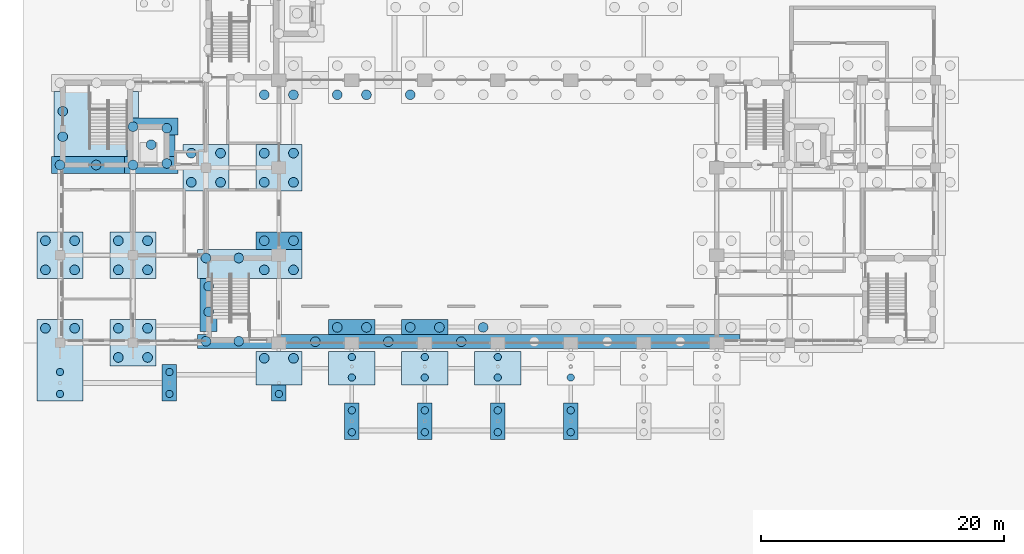
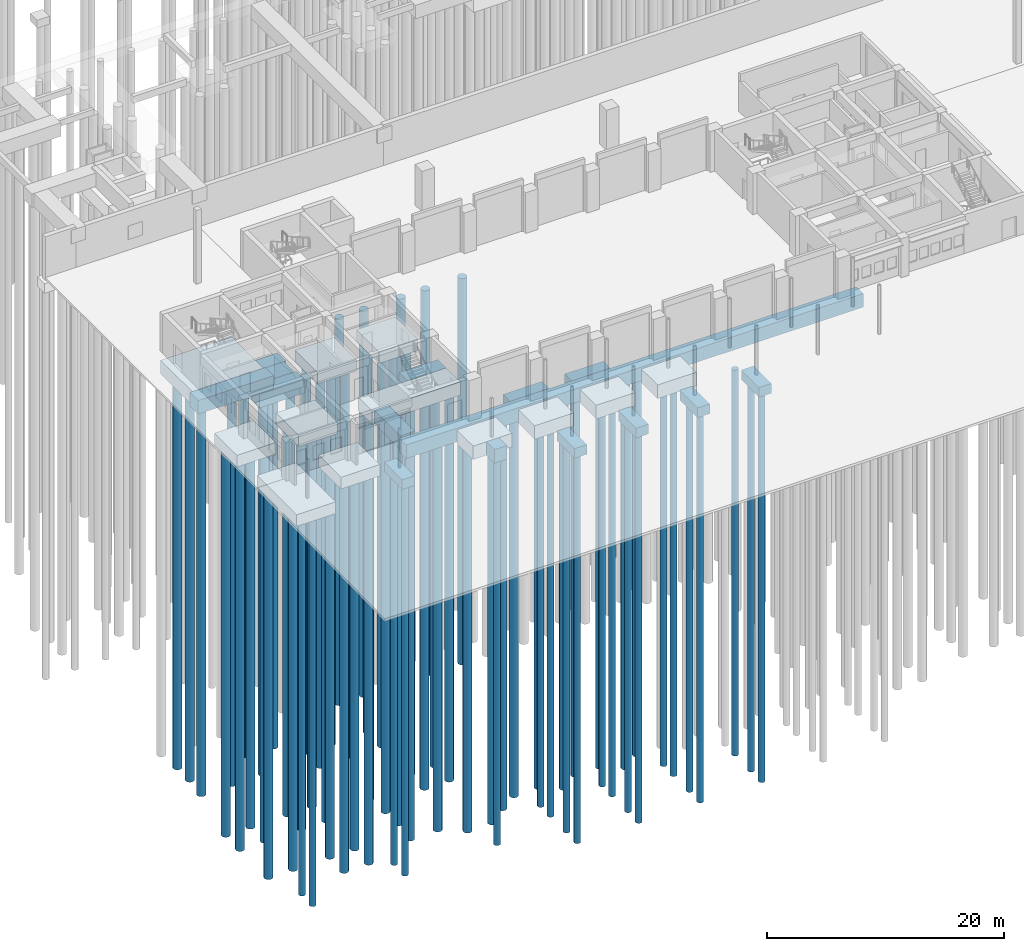
# One storey, part 1 of 37: 76 piles, 27 footings.
"""IFC4 building model written with IfcOpenShell, lengths in metres."""

from ifc_helpers import new_model, si_unit, direction, frame, origin, origin_2d, place, context, subcontext, project, spatial, polyline, circle, outline, extrude, material, layer, layer_set, material_profile, profile_set, type_object, element, save


model = new_model("IFC4")

# Units and contexts
model_context = context("Model", 3, precision=1e-05, world=origin(), true_north=direction((0.0, 1.0)))
body_context = subcontext(model_context, "Body", "Model", "MODEL_VIEW")
ifc_project = project(units=[si_unit("LENGTHUNIT", "METRE"), si_unit("AREAUNIT", "SQUARE_METRE"), si_unit("VOLUMEUNIT", "CUBIC_METRE"), si_unit("PLANEANGLEUNIT", "RADIAN"), si_unit("MASSUNIT", "GRAM", prefix="KILO")], contexts=[model_context])

# Site, building, storey
site_placement = place(None, origin())
site = spatial("IfcSite", under=ifc_project, at=site_placement, CompositionType="ELEMENT")
building_placement = place(site_placement, origin())
building = spatial("IfcBuilding", under=site, at=building_placement, Name="Laocheng Heights Fire and Rescue Headquarters", CompositionType="ELEMENT")
storey_placement = place(building_placement, origin())
storey = spatial("IfcBuildingStorey", under=building, at=storey_placement, Name="L00", CompositionType="ELEMENT", Elevation=0.0)

# Piles
ifc_material_1 = material(Name="Concrete C35", Category="concrete")
ifc_material_profile_1 = material_profile(ifc_material_1, circle(Radius=0.300048828125, at=origin_2d()), Name="BORED PILE D600")
ifc_profile_set_1 = profile_set([ifc_material_profile_1], Name="Concrete C35")
pile_type_1 = type_object("IfcPileType", Name="BORED PILE D600", PredefinedType="BORED", material=ifc_profile_set_1)
for number, where, z_axis, x_axis, name in (
    (1, (24.0, -7.35009765625, -1.37890625), (0.0, 0.0, -1.0), (1.0, 0.0, 0.0), "Bored pile D600"),
    (2, (24.0, -5.550048828125, -1.37890625), (0.0, 0.0, -1.0), (1.0, 0.0, 0.0), "Bored pile D600"),
    (3, (30.0, -7.35009765625, -1.37890625), (0.0, 0.0, -1.0), (1.0, 0.0, 0.0), "Bored pile D600"),
    (4, (30.0, -5.550048828125, -1.37890625), (0.0, 0.0, -1.0), (1.0, 0.0, 0.0), "Bored pile D600"),
    (5, (36.0, -7.35009765625, -1.37890625), (0.0, 0.0, -1.0), (1.0, 0.0, 0.0), "Bored pile D600"),
    (6, (36.0, -5.550048828125, -1.37890625), (0.0, 0.0, -1.0), (1.0, 0.0, 0.0), "Bored pile D600"),
    (7, (42.0, -7.35009765625, -1.37890625), (0.0, 0.0, -1.0), (1.0, 0.0, 0.0), "Bored pile D600"),
    (8, (42.0, -5.550048828125, -1.37890625), (0.0, 0.0, -1.0), (1.0, 0.0, 0.0), "Bored pile D600"),
):
    element("IfcPile", number, at=place(storey_placement, frame(where, z_axis=z_axis, x_axis=x_axis)), inside=storey, type_object=pile_type_1, Name=name, PredefinedType="BORED", context=body_context, shape_type="SweptSolid", body=[
        extrude(circle(Radius=0.300048828125, at=origin_2d()), origin(), (0.0, 0.0, 1.0), 40.12109375),
    ])
pile_placement = place(storey_placement, frame((18.0, -4.199951171875, -1.68896484375), z_axis=(0.0, 0.0, -1.0), x_axis=(1.0, 0.0, 0.0)))
element("IfcPile", 9, at=pile_placement, inside=storey, type_object=pile_type_1, Name="Bored pile D600", PredefinedType="BORED", context=body_context, shape_type="SweptSolid", body=[
    extrude(circle(Radius=0.300048828125, at=origin_2d()), origin(), (0.0, 0.0, 1.0), 39.81103515625),
])
for number, where, z_axis, x_axis, name in (
    (10, (9.0, -4.199951171875, -1.25), (0.0, 0.0, -1.0), (1.0, 0.0, 0.0), "Bored pile D600"),
    (11, (9.0, -2.39990234375, -1.25), (0.0, 0.0, -1.0), (1.0, 0.0, 0.0), "Bored pile D600"),
):
    element("IfcPile", number, at=place(storey_placement, frame(where, z_axis=z_axis, x_axis=x_axis)), inside=storey, type_object=pile_type_1, Name=name, PredefinedType="BORED", context=body_context, shape_type="SweptSolid", body=[
        extrude(circle(Radius=0.300048828125, at=origin_2d()), origin(), (0.0, 0.0, 1.0), 40.25),
    ])
for number, where, z_axis, x_axis, name in (
    (12, (24.0, -2.85009765625, -1.68896484375), (0.0, 0.0, -1.0), (1.0, 0.0, 0.0), "Bored pile D600"),
    (13, (24.0, -1.169921875, -1.68896484375), (0.0, 0.0, -1.0), (1.0, 0.0, 0.0), "Bored pile D600"),
    (14, (30.0, -2.85009765625, -1.68896484375), (0.0, 0.0, -1.0), (1.0, 0.0, 0.0), "Bored pile D600"),
    (15, (30.0, -1.169921875, -1.68896484375), (0.0, 0.0, -1.0), (1.0, 0.0, 0.0), "Bored pile D600"),
    (16, (36.0, -2.85009765625, -1.68896484375), (0.0, 0.0, -1.0), (1.0, 0.0, 0.0), "Bored pile D600"),
    (17, (36.0, -1.169921875, -1.68896484375), (0.0, 0.0, -1.0), (1.0, 0.0, 0.0), "Bored pile D600"),
    (18, (42.0, -2.85009765625, -1.68896484375), (0.0, 0.0, -1.0), (1.0, 0.0, 0.0), "Bored pile D600"),
):
    element("IfcPile", number, at=place(storey_placement, frame(where, z_axis=z_axis, x_axis=x_axis)), inside=storey, type_object=pile_type_1, Name=name, PredefinedType="BORED", context=body_context, shape_type="SweptSolid", body=[
        extrude(circle(Radius=0.300048828125, at=origin_2d()), origin(), (0.0, 0.0, 1.0), 39.81103515625),
    ])
for number, where, z_axis, x_axis, name in (
    (19, (0.0, -4.199951171875, -1.449951171875), (0.0, 0.0, -1.0), (1.0, 0.0, 0.0), "Bored pile D600"),
    (20, (0.0, -2.39990234375, -1.449951171875), (0.0, 0.0, -1.0), (1.0, 0.0, 0.0), "Bored pile D600"),
):
    element("IfcPile", number, at=place(storey_placement, frame(where, z_axis=z_axis, x_axis=x_axis)), inside=storey, type_object=pile_type_1, Name=name, PredefinedType="BORED", context=body_context, shape_type="SweptSolid", body=[
        extrude(circle(Radius=0.300048828125, at=origin_2d()), origin(), (0.0, 0.0, 1.0), 40.050048828125),
    ])
ifc_material_2 = material(Name="Concrete C35", Category="concrete")
ifc_material_profile_2 = material_profile(ifc_material_2, circle(Radius=0.39990234375, at=origin_2d()), Name="BORED PILE D800")
ifc_profile_set_2 = profile_set([ifc_material_profile_2], Name="Concrete C35")
pile_type_2 = type_object("IfcPileType", Name="BORED PILE D800", PredefinedType="BORED", material=ifc_profile_set_2)
for number, where, z_axis, x_axis, name in (
    (21, (16.800048828125, -1.27001953125, -1.68896484375), (0.0, 0.0, -1.0), (1.0, 0.0, 0.0), "Bored pile D800"),
    (22, (19.199951171875, -1.27001953125, -1.68896484375), (0.0, 0.0, -1.0), (1.0, 0.0, 0.0), "Bored pile D800"),
):
    element("IfcPile", number, at=place(storey_placement, frame(where, z_axis=z_axis, x_axis=x_axis)), inside=storey, type_object=pile_type_2, Name=name, PredefinedType="BORED", context=body_context, shape_type="SweptSolid", body=[
        extrude(circle(Radius=0.39990234375, at=origin_2d()), origin(), (0.0, 0.0, 1.0), 39.81103515625),
    ])
for number, where, z_axis, x_axis, name in (
    (23, (-1.199951171875, 1.199951171875, -1.449951171875), (0.0, 0.0, -1.0), (1.0, 0.0, 0.0), "Bored pile D800"),
    (24, (1.199951171875, 1.199951171875, -1.449951171875), (0.0, 0.0, -1.0), (1.0, 0.0, 0.0), "Bored pile D800"),
    (25, (4.800048828125, -1.199951171875, -1.449951171875), (0.0, 0.0, -1.0), (1.0, 0.0, 0.0), "Bored pile D800"),
    (26, (7.199951171875, -1.199951171875, -1.449951171875), (0.0, 0.0, -1.0), (1.0, 0.0, 0.0), "Bored pile D800"),
    (27, (4.800048828125, 1.199951171875, -1.449951171875), (0.0, 0.0, -1.0), (1.0, 0.0, 0.0), "Bored pile D800"),
    (28, (7.199951171875, 1.199951171875, -1.449951171875), (0.0, 0.0, -1.0), (1.0, 0.0, 0.0), "Bored pile D800"),
):
    element("IfcPile", number, at=place(storey_placement, frame(where, z_axis=z_axis, x_axis=x_axis)), inside=storey, type_object=pile_type_2, Name=name, PredefinedType="BORED", context=body_context, shape_type="SweptSolid", body=[
        extrude(circle(Radius=0.39990234375, at=origin_2d()), origin(), (0.0, 0.0, 1.0), 40.050048828125),
    ])
for number, where, z_axis, x_axis, name in (
    (29, (21.0, 0.094970703125, -1.68896484375), (0.0, 0.0, -1.0), (1.0, 0.0, 0.0), "Bored pile D800"),
    (30, (27.0, 0.094970703125, -1.68896484375), (0.0, 0.0, -1.0), (1.0, 0.0, 0.0), "Bored pile D800"),
    (31, (33.0, 0.094970703125, -1.68896484375), (0.0, 0.0, -1.0), (1.0, 0.0, 0.0), "Bored pile D800"),
    (32, (12.0, 0.1298828125, -1.68896484375), (0.0, 0.0, -1.0), (1.0, 0.0, 0.0), "Bored pile D800"),
    (33, (14.699951171875, 0.1298828125, -1.68896484375), (0.0, 0.0, -1.0), (1.0, 0.0, 0.0), "Bored pile D800"),
    (34, (22.800048828125, 1.27001953125, -1.68896484375), (0.0, 0.0, -1.0), (1.0, 0.0, 0.0), "Bored pile D800"),
    (35, (25.199951171875, 1.27001953125, -1.68896484375), (0.0, 0.0, -1.0), (1.0, 0.0, 0.0), "Bored pile D800"),
    (36, (28.800048828125, 1.27001953125, -1.68896484375), (0.0, 0.0, -1.0), (1.0, 0.0, 0.0), "Bored pile D800"),
    (37, (31.199951171875, 1.27001953125, -1.68896484375), (0.0, 0.0, -1.0), (1.0, 0.0, 0.0), "Bored pile D800"),
    (38, (34.800048828125, 1.27001953125, -1.68896484375), (0.0, 0.0, -1.0), (1.0, 0.0, 0.0), "Bored pile D800"),
    (39, (12.22509765625, 2.550048828125, -1.68896484375), (0.0, 0.0, -1.0), (1.0, 0.0, 0.0), "Bored pile D800"),
    (40, (12.22509765625, 4.64990234375, -1.68896484375), (0.0, 0.0, -1.0), (1.0, 0.0, 0.0), "Bored pile D800"),
    (41, (16.800048828125, 6.0, -1.68896484375), (0.0, 0.0, -1.0), (1.0, 0.0, 0.0), "Bored pile D800"),
    (42, (19.199951171875, 6.0, -1.68896484375), (0.0, 0.0, -1.0), (1.0, 0.0, 0.0), "Bored pile D800"),
    (43, (12.0, 6.97509765625, -1.68896484375), (0.0, 0.0, -1.0), (1.0, 0.0, 0.0), "Bored pile D800"),
    (44, (14.699951171875, 6.97509765625, -1.68896484375), (0.0, 0.0, -1.0), (1.0, 0.0, 0.0), "Bored pile D800"),
):
    element("IfcPile", number, at=place(storey_placement, frame(where, z_axis=z_axis, x_axis=x_axis)), inside=storey, type_object=pile_type_2, Name=name, PredefinedType="BORED", context=body_context, shape_type="SweptSolid", body=[
        extrude(circle(Radius=0.39990234375, at=origin_2d()), origin(), (0.0, 0.0, 1.0), 39.81103515625),
    ])
for number, where, z_axis, x_axis, name in (
    (45, (-1.199951171875, 6.0, -1.449951171875), (0.0, 0.0, -1.0), (1.0, 0.0, 0.0), "Bored pile D800"),
    (46, (1.199951171875, 6.0, -1.449951171875), (0.0, 0.0, -1.0), (1.0, 0.0, 0.0), "Bored pile D800"),
    (47, (-1.199951171875, 8.39990234375, -1.449951171875), (0.0, 0.0, -1.0), (1.0, 0.0, 0.0), "Bored pile D800"),
    (48, (1.199951171875, 8.39990234375, -1.449951171875), (0.0, 0.0, -1.0), (1.0, 0.0, 0.0), "Bored pile D800"),
    (49, (4.800048828125, 6.0, -1.449951171875), (0.0, 0.0, -1.0), (1.0, 0.0, 0.0), "Bored pile D800"),
    (50, (7.199951171875, 6.0, -1.449951171875), (0.0, 0.0, -1.0), (1.0, 0.0, 0.0), "Bored pile D800"),
    (51, (4.800048828125, 8.39990234375, -1.449951171875), (0.0, 0.0, -1.0), (1.0, 0.0, 0.0), "Bored pile D800"),
    (52, (7.199951171875, 8.39990234375, -1.449951171875), (0.0, 0.0, -1.0), (1.0, 0.0, 0.0), "Bored pile D800"),
):
    element("IfcPile", number, at=place(storey_placement, frame(where, z_axis=z_axis, x_axis=x_axis)), inside=storey, type_object=pile_type_2, Name=name, PredefinedType="BORED", context=body_context, shape_type="SweptSolid", body=[
        extrude(circle(Radius=0.39990234375, at=origin_2d()), origin(), (0.0, 0.0, 1.0), 40.050048828125),
    ])
for number, where, z_axis, x_axis, name in (
    (53, (16.800048828125, 8.39990234375, -1.68896484375), (0.0, 0.0, -1.0), (1.0, 0.0, 0.0), "Bored pile D800"),
    (54, (19.199951171875, 8.39990234375, -1.68896484375), (0.0, 0.0, -1.0), (1.0, 0.0, 0.0), "Bored pile D800"),
):
    element("IfcPile", number, at=place(storey_placement, frame(where, z_axis=z_axis, x_axis=x_axis)), inside=storey, type_object=pile_type_2, Name=name, PredefinedType="BORED", context=body_context, shape_type="SweptSolid", body=[
        extrude(circle(Radius=0.39990234375, at=origin_2d()), origin(), (0.0, 0.0, 1.0), 39.81103515625),
    ])
for number, where, z_axis, x_axis, name in (
    (55, (10.800048828125, 13.199951171875, -1.449951171875), (0.0, 0.0, -1.0), (1.0, 0.0, 0.0), "Bored pile D800"),
    (56, (13.199951171875, 13.199951171875, -1.449951171875), (0.0, 0.0, -1.0), (1.0, 0.0, 0.0), "Bored pile D800"),
    (57, (10.800048828125, 15.60009765625, -1.449951171875), (0.0, 0.0, -1.0), (1.0, 0.0, 0.0), "Bored pile D800"),
    (58, (13.199951171875, 15.60009765625, -1.449951171875), (0.0, 0.0, -1.0), (1.0, 0.0, 0.0), "Bored pile D800"),
    (59, (16.800048828125, 13.199951171875, -1.449951171875), (0.0, 0.0, -1.0), (1.0, 0.0, 0.0), "Bored pile D800"),
    (60, (19.199951171875, 13.199951171875, -1.449951171875), (0.0, 0.0, -1.0), (1.0, 0.0, 0.0), "Bored pile D800"),
    (61, (16.800048828125, 15.60009765625, -1.449951171875), (0.0, 0.0, -1.0), (1.0, 0.0, 0.0), "Bored pile D800"),
    (62, (19.199951171875, 15.60009765625, -1.449951171875), (0.0, 0.0, -1.0), (1.0, 0.0, 0.0), "Bored pile D800"),
):
    element("IfcPile", number, at=place(storey_placement, frame(where, z_axis=z_axis, x_axis=x_axis)), inside=storey, type_object=pile_type_2, Name=name, PredefinedType="BORED", context=body_context, shape_type="SweptSolid", body=[
        extrude(circle(Radius=0.39990234375, at=origin_2d()), origin(), (0.0, 0.0, 1.0), 40.050048828125),
    ])
for number, where, z_axis, x_axis, name in (
    (63, (0.0, 14.625, -1.64990234375), (0.0, 0.0, -1.0), (1.0, 0.0, 0.0), "Bored pile D800"),
    (64, (2.97509765625, 14.625, -1.64990234375), (0.0, 0.0, -1.0), (1.0, 0.0, 0.0), "Bored pile D800"),
):
    element("IfcPile", number, at=place(storey_placement, frame(where, z_axis=z_axis, x_axis=x_axis)), inside=storey, type_object=pile_type_2, Name=name, PredefinedType="BORED", context=body_context, shape_type="SweptSolid", body=[
        extrude(circle(Radius=0.39990234375, at=origin_2d()), origin(), (0.0, 0.0, 1.0), 39.85009765625),
    ])
for number, where, z_axis, x_axis, name in (
    (65, (8.77490234375, 14.7548828125, -3.10009765625), (0.0, 0.0, -1.0), (1.0, 0.0, 0.0), "Bored pile D800"),
    (66, (6.0, 14.625, -3.10009765625), (0.0, 0.0, -1.0), (1.0, 0.0, 0.0), "Bored pile D800"),
    (67, (7.4951171875, 16.294921875, -3.10009765625), (0.0, 0.0, -1.0), (1.0, 0.0, 0.0), "Bored pile D800"),
    (68, (8.77490234375, 17.64501953125, -3.10009765625), (0.0, 0.0, -1.0), (1.0, 0.0, 0.0), "Bored pile D800"),
    (69, (6.0, 17.77490234375, -3.10009765625), (0.0, 0.0, -1.0), (1.0, 0.0, 0.0), "Bored pile D800"),
):
    element("IfcPile", number, at=place(storey_placement, frame(where, z_axis=z_axis, x_axis=x_axis)), inside=storey, type_object=pile_type_2, Name=name, PredefinedType="BORED", context=body_context, shape_type="SweptSolid", body=[
        extrude(circle(Radius=0.39990234375, at=origin_2d()), origin(), (0.0, 0.0, 1.0), 38.39990234375),
    ])
for number, where, z_axis, x_axis, name in (
    (70, (0.22509765625, 16.949951171875, -1.64990234375), (0.0, 0.0, -1.0), (1.0, 0.0, 0.0), "Bored pile D800"),
    (71, (0.22509765625, 19.050048828125, -1.64990234375), (0.0, 0.0, -1.0), (1.0, 0.0, 0.0), "Bored pile D800"),
    (72, (19.199951171875, 20.39990234375, -1.64990234375), (0.0, 0.0, -1.0), (1.0, 0.0, 0.0), "Bored pile D800"),
    (73, (22.800048828125, 20.39990234375, -1.64990234375), (0.0, 0.0, -1.0), (1.0, 0.0, 0.0), "Bored pile D800"),
    (74, (25.199951171875, 20.39990234375, -1.64990234375), (0.0, 0.0, -1.0), (1.0, 0.0, 0.0), "Bored pile D800"),
    (75, (28.800048828125, 20.39990234375, -1.64990234375), (0.0, 0.0, -1.0), (1.0, 0.0, 0.0), "Bored pile D800"),
    (76, (16.800048828125, 20.39990234375, -1.64990234375), (0.0, 0.0, -1.0), (1.0, 0.0, 0.0), "Bored pile D800"),
):
    element("IfcPile", number, at=place(storey_placement, frame(where, z_axis=z_axis, x_axis=x_axis)), inside=storey, type_object=pile_type_2, Name=name, PredefinedType="BORED", context=body_context, shape_type="SweptSolid", body=[
        extrude(circle(Radius=0.39990234375, at=origin_2d()), origin(), (0.0, 0.0, 1.0), 39.85009765625),
    ])

# Footings
ifc_material_3 = material(Name="Concrete C40", Category="concrete")
ifc_layer_1 = layer(ifc_material_3, 1.39990234375)
ifc_layer_set_1 = layer_set([ifc_layer_1], Name="Concrete C40")
footing_type_1 = type_object("IfcFootingType", Name="RC PILE CAP 1200x1350x1400 ON 1 D600 PILES", PredefinedType="PILE_CAP", material=ifc_layer_set_1)
footing_1_placement = place(storey_placement, frame((0.0, 0.0, -1.68896484375)))
element("IfcFooting", 77, at=footing_1_placement, inside=storey, type_object=footing_type_1, Name="Pile cap", PredefinedType="PILE_CAP", context=body_context, shape_type="SweptSolid", body=[
    extrude(outline(polyline([(18.60009765625, -4.800048828125), (18.60009765625, -3.449951171875), (17.39990234375, -3.449951171875), (17.39990234375, -4.800048828125), (18.60009765625, -4.800048828125)])), origin(), (0.0, 0.0, 1.0), 1.39990234375),
])
ifc_material_4 = material(Name="Concrete C40", Category="concrete")
ifc_layer_2 = layer(ifc_material_4, 1.0)
ifc_layer_set_2 = layer_set([ifc_layer_2], Name="Concrete C40")
footing_type_2 = type_object("IfcFootingType", Name="RC PILE CAP 1200x3000x1000 ON 2 D600 PILES", PredefinedType="PILE_CAP", material=ifc_layer_set_2)
footing_2_placement = place(storey_placement, frame((0.0, 0.0, -1.37890625)))
element("IfcFooting", 78, at=footing_2_placement, inside=storey, type_object=footing_type_2, Name="Pile cap", PredefinedType="PILE_CAP", context=body_context, shape_type="SweptSolid", body=[
    extrude(outline(polyline([(24.60009765625, -7.949951171875), (24.60009765625, -4.949951171875), (23.39990234375, -4.949951171875), (23.39990234375, -7.949951171875), (24.60009765625, -7.949951171875)])), origin(), (0.0, 0.0, 1.0), 1.0),
])
footing_3_placement = place(storey_placement, frame((0.0, 0.0, -1.37890625)))
element("IfcFooting", 79, at=footing_3_placement, inside=storey, type_object=footing_type_2, Name="Pile cap", PredefinedType="PILE_CAP", context=body_context, shape_type="SweptSolid", body=[
    extrude(outline(polyline([(30.60009765625, -7.949951171875), (30.60009765625, -4.949951171875), (29.39990234375, -4.949951171875), (29.39990234375, -7.949951171875), (30.60009765625, -7.949951171875)])), origin(), (0.0, 0.0, 1.0), 1.0),
])
footing_4_placement = place(storey_placement, frame((0.0, 0.0, -1.37890625)))
element("IfcFooting", 80, at=footing_4_placement, inside=storey, type_object=footing_type_2, Name="Pile cap", PredefinedType="PILE_CAP", context=body_context, shape_type="SweptSolid", body=[
    extrude(outline(polyline([(36.60009765625, -7.949951171875), (36.60009765625, -4.949951171875), (35.39990234375, -4.949951171875), (35.39990234375, -7.949951171875), (36.60009765625, -7.949951171875)])), origin(), (0.0, 0.0, 1.0), 1.0),
])
footing_5_placement = place(storey_placement, frame((0.0, 0.0, -1.37890625)))
element("IfcFooting", 81, at=footing_5_placement, inside=storey, type_object=footing_type_2, Name="Pile cap", PredefinedType="PILE_CAP", context=body_context, shape_type="SweptSolid", body=[
    extrude(outline(polyline([(42.60009765625, -7.949951171875), (42.60009765625, -4.949951171875), (41.39990234375, -4.949951171875), (41.39990234375, -7.949951171875), (42.60009765625, -7.949951171875)])), origin(), (0.0, 0.0, 1.0), 1.0),
])
footing_6_placement = place(storey_placement, frame((0.0, 0.0, -1.25)))
element("IfcFooting", 82, at=footing_6_placement, inside=storey, type_object=footing_type_2, Name="Pile cap", PredefinedType="PILE_CAP", context=body_context, shape_type="SweptSolid", body=[
    extrude(outline(polyline([(9.60009765625, -4.800048828125), (9.60009765625, -1.800048828125), (8.39990234375, -1.800048828125), (8.39990234375, -4.800048828125), (9.60009765625, -4.800048828125)])), origin(), (0.0, 0.0, 1.0), 1.0),
])
ifc_material_5 = material(Name="Concrete C40", Category="concrete")
ifc_layer_3 = layer(ifc_material_5, 1.39990234375)
ifc_layer_set_3 = layer_set([ifc_layer_3], Name="Concrete C40")
footing_type_3 = type_object("IfcFootingType", Name="RC PILE CAP 1400x4375x1400 ON 2 D800 PILES", PredefinedType="PILE_CAP", material=ifc_layer_set_3)
footing_7_placement = place(storey_placement, frame((0.0, 0.0, -1.68896484375)))
element("IfcFooting", 83, at=footing_7_placement, inside=storey, type_object=footing_type_3, Name="Pile cap", PredefinedType="PILE_CAP", context=body_context, shape_type="SweptSolid", body=[
    extrude(outline(polyline([(12.925048828125, 0.925048828125), (12.925048828125, 5.300048828125), (11.52490234375, 5.300048828125), (11.52490234375, 0.925048828125), (12.925048828125, 0.925048828125)])), origin(), (0.0, 0.0, 1.0), 1.39990234375),
])
ifc_material_6 = material(Name="Concrete C40", Category="concrete")
ifc_layer_4 = layer(ifc_material_6, 1.39990234375)
ifc_layer_set_4 = layer_set([ifc_layer_4], Name="Concrete C40")
footing_type_4 = type_object("IfcFootingType", Name="RC PILE CAP 3800x1200x1400 ON 2 D800 PILES", PredefinedType="PILE_CAP", material=ifc_layer_set_4)
footing_8_placement = place(storey_placement, frame((0.0, 0.0, -1.68896484375)))
element("IfcFooting", 84, at=footing_8_placement, inside=storey, type_object=footing_type_4, Name="Pile cap", PredefinedType="PILE_CAP", context=body_context, shape_type="SweptSolid", body=[
    extrude(outline(polyline([(25.89990234375, 0.699951171875), (25.89990234375, 1.89990234375), (22.10009765625, 1.89990234375), (22.10009765625, 0.699951171875), (25.89990234375, 0.699951171875)])), origin(), (0.0, 0.0, 1.0), 1.39990234375),
])
footing_9_placement = place(storey_placement, frame((0.0, 0.0, -1.68896484375)))
element("IfcFooting", 85, at=footing_9_placement, inside=storey, type_object=footing_type_4, Name="Pile cap", PredefinedType="PILE_CAP", context=body_context, shape_type="SweptSolid", body=[
    extrude(outline(polyline([(31.89990234375, 0.699951171875), (31.89990234375, 1.89990234375), (28.10009765625, 1.89990234375), (28.10009765625, 0.699951171875), (31.89990234375, 0.699951171875)])), origin(), (0.0, 0.0, 1.0), 1.39990234375),
])
ifc_material_7 = material(Name="Concrete C40", Category="concrete")
ifc_layer_5 = layer(ifc_material_7, 1.39990234375)
ifc_layer_set_5 = layer_set([ifc_layer_5], Name="Concrete C40")
footing_type_5 = type_object("IfcFootingType", Name="RC PILE CAP 3800x1425x1400 ON 2 D800 PILES", PredefinedType="PILE_CAP", material=ifc_layer_set_5)
footing_10_placement = place(storey_placement, frame((0.0, 0.0, -1.68896484375)))
element("IfcFooting", 86, at=footing_10_placement, inside=storey, type_object=footing_type_5, Name="Pile cap", PredefinedType="PILE_CAP", context=body_context, shape_type="SweptSolid", body=[
    extrude(outline(polyline([(19.89990234375, 7.675048828125), (19.89990234375, 9.10009765625), (16.10009765625, 9.10009765625), (16.10009765625, 7.675048828125), (19.89990234375, 7.675048828125)])), origin(), (0.0, 0.0, 1.0), 1.39990234375),
])
ifc_material_8 = material(Name="Concrete C40", Category="concrete")
ifc_layer_6 = layer(ifc_material_8, 1.39990234375)
ifc_layer_set_6 = layer_set([ifc_layer_6], Name="Concrete C40")
footing_type_6 = type_object("IfcFootingType", Name="RC PILE CAP 3800x2750x1400 ON 2 D600 PILES", PredefinedType="PILE_CAP", material=ifc_layer_set_6)
footing_11_placement = place(storey_placement, frame((0.0, 0.0, -1.68896484375)))
element("IfcFooting", 87, at=footing_11_placement, inside=storey, type_object=footing_type_6, Name="Pile cap", PredefinedType="PILE_CAP", context=body_context, shape_type="SweptSolid", body=[
    extrude(outline(polyline([(25.89990234375, -3.449951171875), (25.89990234375, -0.699951171875), (22.10009765625, -0.699951171875), (22.10009765625, -3.449951171875), (25.89990234375, -3.449951171875)])), origin(), (0.0, 0.0, 1.0), 1.39990234375),
])
footing_12_placement = place(storey_placement, frame((0.0, 0.0, -1.68896484375)))
element("IfcFooting", 88, at=footing_12_placement, inside=storey, type_object=footing_type_6, Name="Pile cap", PredefinedType="PILE_CAP", context=body_context, shape_type="SweptSolid", body=[
    extrude(outline(polyline([(31.89990234375, -3.449951171875), (31.89990234375, -0.699951171875), (28.10009765625, -0.699951171875), (28.10009765625, -3.449951171875), (31.89990234375, -3.449951171875)])), origin(), (0.0, 0.0, 1.0), 1.39990234375),
])
footing_13_placement = place(storey_placement, frame((0.0, 0.0, -1.68896484375)))
element("IfcFooting", 89, at=footing_13_placement, inside=storey, type_object=footing_type_6, Name="Pile cap", PredefinedType="PILE_CAP", context=body_context, shape_type="SweptSolid", body=[
    extrude(outline(polyline([(37.89990234375, -3.449951171875), (37.89990234375, -0.699951171875), (34.10009765625, -0.699951171875), (34.10009765625, -3.449951171875), (37.89990234375, -3.449951171875)])), origin(), (0.0, 0.0, 1.0), 1.39990234375),
])
ifc_material_9 = material(Name="Concrete C40", Category="concrete")
ifc_layer_7 = layer(ifc_material_9, 1.39990234375)
ifc_layer_set_7 = layer_set([ifc_layer_7], Name="Concrete C40")
footing_type_7 = type_object("IfcFootingType", Name="RC PILE CAP 3800x2750x1400 ON 2 D800 PILES", PredefinedType="PILE_CAP", material=ifc_layer_set_7)
footing_14_placement = place(storey_placement, frame((0.0, 0.0, -1.68896484375)))
element("IfcFooting", 90, at=footing_14_placement, inside=storey, type_object=footing_type_7, Name="Pile cap", PredefinedType="PILE_CAP", context=body_context, shape_type="SweptSolid", body=[
    extrude(outline(polyline([(19.89990234375, -3.449951171875), (19.89990234375, -0.699951171875), (16.10009765625, -0.699951171875), (16.10009765625, -3.449951171875), (19.89990234375, -3.449951171875)])), origin(), (0.0, 0.0, 1.0), 1.39990234375),
])
ifc_material_10 = material(Name="Concrete C40", Category="concrete")
ifc_layer_8 = layer(ifc_material_10, 1.199951171875)
ifc_layer_set_8 = layer_set([ifc_layer_8], Name="Concrete C40")
footing_type_8 = type_object("IfcFootingType", Name="RC PILE CAP 3800x3800x1200 ON 4 D800 PILES", PredefinedType="PILE_CAP", material=ifc_layer_set_8)
footing_15_placement = place(storey_placement, frame((0.0, 0.0, -1.449951171875)))
element("IfcFooting", 91, at=footing_15_placement, inside=storey, type_object=footing_type_8, Name="Pile cap", PredefinedType="PILE_CAP", context=body_context, shape_type="SweptSolid", body=[
    extrude(outline(polyline([(7.89990234375, -1.89990234375), (7.89990234375, 1.89990234375), (4.10009765625, 1.89990234375), (4.10009765625, -1.89990234375), (7.89990234375, -1.89990234375)])), origin(), (0.0, 0.0, 1.0), 1.199951171875),
])
footing_16_placement = place(storey_placement, frame((0.0, 0.0, -1.449951171875)))
element("IfcFooting", 92, at=footing_16_placement, inside=storey, type_object=footing_type_8, Name="Pile cap", PredefinedType="PILE_CAP", context=body_context, shape_type="SweptSolid", body=[
    extrude(outline(polyline([(1.89990234375, 5.300048828125), (1.89990234375, 9.10009765625), (-1.89990234375, 9.10009765625), (-1.89990234375, 5.300048828125), (1.89990234375, 5.300048828125)])), origin(), (0.0, 0.0, 1.0), 1.199951171875),
])
footing_17_placement = place(storey_placement, frame((0.0, 0.0, -1.449951171875)))
element("IfcFooting", 93, at=footing_17_placement, inside=storey, type_object=footing_type_8, Name="Pile cap", PredefinedType="PILE_CAP", context=body_context, shape_type="SweptSolid", body=[
    extrude(outline(polyline([(7.89990234375, 5.300048828125), (7.89990234375, 9.10009765625), (4.10009765625, 9.10009765625), (4.10009765625, 5.300048828125), (7.89990234375, 5.300048828125)])), origin(), (0.0, 0.0, 1.0), 1.199951171875),
])
footing_18_placement = place(storey_placement, frame((0.0, 0.0, -1.449951171875)))
element("IfcFooting", 94, at=footing_18_placement, inside=storey, type_object=footing_type_8, Name="Pile cap", PredefinedType="PILE_CAP", context=body_context, shape_type="SweptSolid", body=[
    extrude(outline(polyline([(13.89990234375, 12.5), (13.89990234375, 16.300048828125), (10.10009765625, 16.300048828125), (10.10009765625, 12.5), (13.89990234375, 12.5)])), origin(), (0.0, 0.0, 1.0), 1.199951171875),
])
footing_19_placement = place(storey_placement, frame((0.0, 0.0, -1.449951171875)))
element("IfcFooting", 95, at=footing_19_placement, inside=storey, type_object=footing_type_8, Name="Pile cap", PredefinedType="PILE_CAP", context=body_context, shape_type="SweptSolid", body=[
    extrude(outline(polyline([(19.89990234375, 12.5), (19.89990234375, 16.300048828125), (16.10009765625, 16.300048828125), (16.10009765625, 12.5), (19.89990234375, 12.5)])), origin(), (0.0, 0.0, 1.0), 1.199951171875),
])
ifc_material_11 = material(Name="Concrete C40", Category="concrete")
ifc_layer_9 = layer(ifc_material_11, 1.199951171875)
ifc_layer_set_9 = layer_set([ifc_layer_9], Name="Concrete C40")
footing_type_9 = type_object("IfcFootingType", Name="RC PILE CAP 3800x6700x1200 ON 4 D600/800 PILES", PredefinedType="PILE_CAP", material=ifc_layer_set_9)
footing_20_placement = place(storey_placement, frame((0.0, 0.0, -1.449951171875)))
element("IfcFooting", 96, at=footing_20_placement, inside=storey, type_object=footing_type_9, Name="Pile cap", PredefinedType="PILE_CAP", context=body_context, shape_type="SweptSolid", body=[
    extrude(outline(polyline([(1.89990234375, -4.800048828125), (1.89990234375, 1.89990234375), (-1.89990234375, 1.89990234375), (-1.89990234375, -4.800048828125), (1.89990234375, -4.800048828125)])), origin(), (0.0, 0.0, 1.0), 1.199951171875),
])
ifc_material_12 = material(Name="Concrete C40", Category="concrete")
ifc_layer_10 = layer(ifc_material_12, 1.39990234375)
ifc_layer_set_10 = layer_set([ifc_layer_10], Name="Concrete C40")
footing_type_10 = type_object("IfcFootingType", Name="RC PILE CAP 3950x1750x1400 ON 1 D800 PILES", PredefinedType="PILE_CAP", material=ifc_layer_set_10)
footing_21_placement = place(storey_placement, frame((0.0, 0.0, -3.10009765625)))
element("IfcFooting", 97, at=footing_21_placement, inside=storey, type_object=footing_type_10, Name="Pile cap", PredefinedType="PILE_CAP", context=body_context, shape_type="SweptSolid", body=[
    extrude(outline(polyline([(9.47509765625, 15.324951171875), (9.47509765625, 17.074951171875), (5.52490234375, 17.074951171875), (5.52490234375, 15.324951171875), (9.47509765625, 15.324951171875)])), origin(), (0.0, 0.0, 1.0), 1.400146484375),
])
ifc_material_13 = material(Name="Concrete C40", Category="concrete")
ifc_layer_11 = layer(ifc_material_13, 1.39990234375)
ifc_layer_set_11 = layer_set([ifc_layer_11], Name="Concrete C40")
footing_type_11 = type_object("IfcFootingType", Name="RC PILE CAP 4400x1400x1400 ON 2 D800 PILES", PredefinedType="PILE_CAP", material=ifc_layer_set_11)
footing_22_placement = place(storey_placement, frame((0.0, 0.0, -3.10009765625)))
element("IfcFooting", 98, at=footing_22_placement, inside=storey, type_object=footing_type_11, Name="Pile cap", PredefinedType="PILE_CAP", context=body_context, shape_type="SweptSolid", body=[
    extrude(outline(polyline([(9.699951171875, 13.925048828125), (9.699951171875, 15.324951171875), (5.300048828125, 15.324951171875), (5.300048828125, 13.925048828125), (9.699951171875, 13.925048828125)])), origin(), (0.0, 0.0, 1.0), 1.400146484375),
])
footing_23_placement = place(storey_placement, frame((0.0, 0.0, -3.10009765625)))
element("IfcFooting", 99, at=footing_23_placement, inside=storey, type_object=footing_type_11, Name="Pile cap", PredefinedType="PILE_CAP", context=body_context, shape_type="SweptSolid", body=[
    extrude(outline(polyline([(9.699951171875, 17.074951171875), (9.699951171875, 18.47509765625), (5.300048828125, 18.47509765625), (5.300048828125, 17.074951171875), (9.699951171875, 17.074951171875)])), origin(), (0.0, 0.0, 1.0), 1.400146484375),
])
ifc_material_14 = material(Name="Concrete C40", Category="concrete")
ifc_layer_12 = layer(ifc_material_14, 1.39990234375)
ifc_layer_set_12 = layer_set([ifc_layer_12], Name="Concrete C40")
footing_type_12 = type_object("IfcFootingType", Name="RC PILE CAP 44600x1175x1400 ON 8 D800 PILES", PredefinedType="PILE_CAP", material=ifc_layer_set_12)
footing_24_placement = place(storey_placement, frame((0.0, 0.0, -1.68896484375)))
element("IfcFooting", 100, at=footing_24_placement, inside=storey, type_object=footing_type_12, Name="Pile cap", PredefinedType="PILE_CAP", context=body_context, shape_type="SweptSolid", body=[
    extrude(outline(polyline([(55.89990234375, -0.47509765625), (55.89990234375, 0.699951171875), (11.300048828125, 0.699951171875), (11.300048828125, -0.47509765625), (55.89990234375, -0.47509765625)])), origin(), (0.0, 0.0, 1.0), 1.39990234375),
])
ifc_material_15 = material(Name="Concrete C40", Category="concrete")
ifc_layer_13 = layer(ifc_material_15, 1.39990234375)
ifc_layer_set_13 = layer_set([ifc_layer_13], Name="Concrete C40")
footing_type_13 = type_object("IfcFootingType", Name="RC PILE CAP 6950x5350x1400 ON 2 D800 PILES", PredefinedType="PILE_CAP", material=ifc_layer_set_13)
footing_25_placement = place(storey_placement, frame((0.0, 0.0, -1.64990234375)))
element("IfcFooting", 101, at=footing_25_placement, inside=storey, type_object=footing_type_13, Name="Pile cap", PredefinedType="PILE_CAP", context=body_context, shape_type="SweptSolid", body=[
    extrude(outline(polyline([(6.47509765625, 15.324951171875), (6.47509765625, 20.675048828125), (-0.47509765625, 20.675048828125), (-0.47509765625, 15.324951171875), (6.47509765625, 15.324951171875)])), origin(), (0.0, 0.0, 1.0), 1.39990234375),
])
ifc_material_16 = material(Name="Concrete C40", Category="concrete")
ifc_layer_14 = layer(ifc_material_16, 1.39990234375)
ifc_layer_set_14 = layer_set([ifc_layer_14], Name="Concrete C40")
footing_type_14 = type_object("IfcFootingType", Name="RC PILE CAP 7350x1400x1400 ON 2 D800 PILES", PredefinedType="PILE_CAP", material=ifc_layer_set_14)
footing_26_placement = place(storey_placement, frame((0.0, 0.0, -1.64990234375)))
element("IfcFooting", 102, at=footing_26_placement, inside=storey, type_object=footing_type_14, Name="Pile cap", PredefinedType="PILE_CAP", context=body_context, shape_type="SweptSolid", body=[
    extrude(outline(polyline([(6.64990234375, 13.925048828125), (6.64990234375, 15.324951171875), (-0.699951171875, 15.324951171875), (-0.699951171875, 13.925048828125), (6.64990234375, 13.925048828125)])), origin(), (0.0, 0.0, 1.0), 1.39990234375),
])
ifc_material_17 = material(Name="Concrete C40", Category="concrete")
ifc_layer_15 = layer(ifc_material_17, 1.39990234375)
ifc_layer_set_15 = layer_set([ifc_layer_15], Name="Concrete C40")
footing_type_15 = type_object("IfcFootingType", Name="RC PILE CAP 8600x2375x1400 ON 4 D800 PILES", PredefinedType="PILE_CAP", material=ifc_layer_set_15)
footing_27_placement = place(storey_placement, frame((0.0, 0.0, -1.68896484375)))
element("IfcFooting", 103, at=footing_27_placement, inside=storey, type_object=footing_type_15, Name="Pile cap", PredefinedType="PILE_CAP", context=body_context, shape_type="SweptSolid", body=[
    extrude(outline(polyline([(19.89990234375, 5.300048828125), (19.89990234375, 7.675048828125), (11.300048828125, 7.675048828125), (11.300048828125, 5.300048828125), (19.89990234375, 5.300048828125)])), origin(), (0.0, 0.0, 1.0), 1.39990234375),
])

save(model, "model.ifc")
